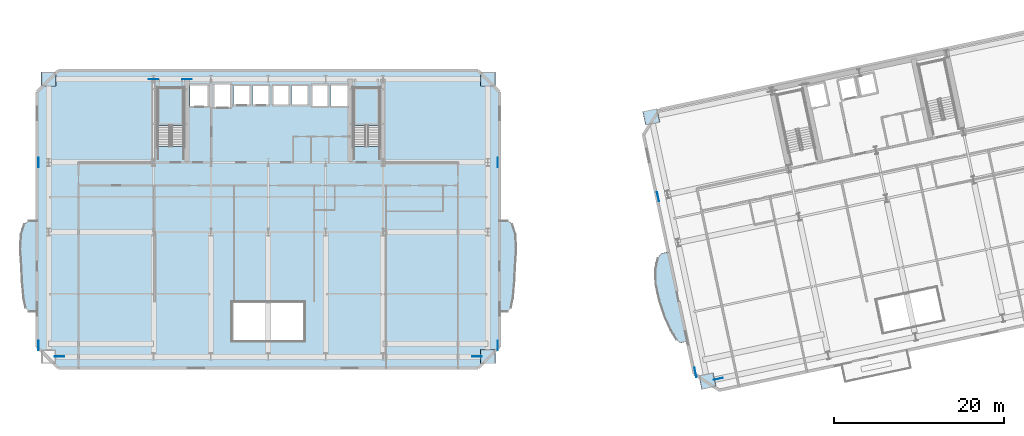
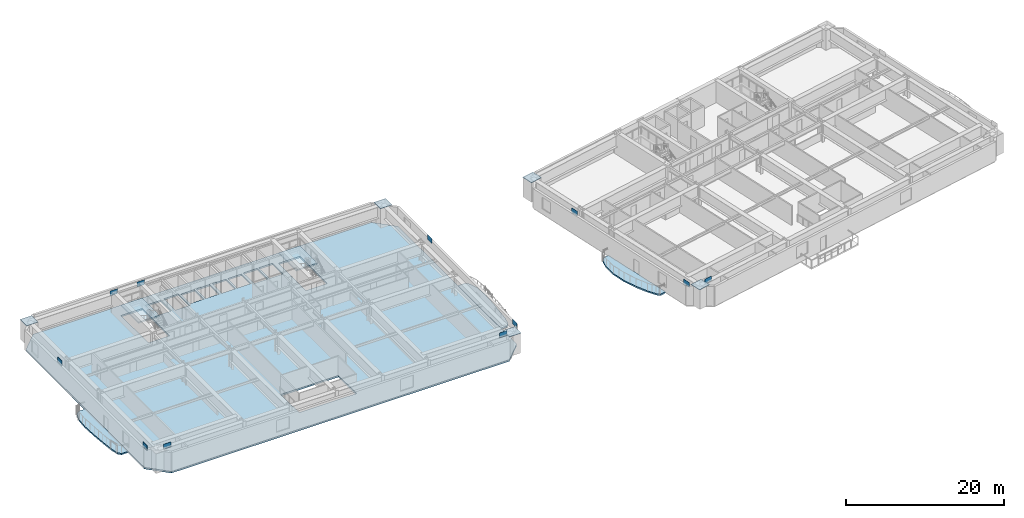
# One storey, part 5 of 18: 16 plates, 6 slabs, 2 elements without a shape of their own.
"""IFC4 building model written with IfcOpenShell, lengths in metres."""

from ifc_helpers import new_model, si_unit, direction, frame, origin, origin_2d, place, context, subcontext, project, spatial, polyline, rectangle, outline, extrude, material, layer, layer_set, type_object, element, aggregate, save


model = new_model("IFC4")

# Units and contexts
model_context = context("Model", 3, precision=1e-05, world=origin(), true_north=direction((0.0, 1.0)))
body_context = subcontext(model_context, "Body", "Model", "MODEL_VIEW")
ifc_project = project(units=[si_unit("LENGTHUNIT", "METRE"), si_unit("AREAUNIT", "SQUARE_METRE"), si_unit("VOLUMEUNIT", "CUBIC_METRE"), si_unit("PLANEANGLEUNIT", "RADIAN"), si_unit("MASSUNIT", "GRAM", prefix="KILO")], contexts=[model_context])

# Site, building, storey
site_placement = place(None, origin())
site = spatial("IfcSite", under=ifc_project, at=site_placement, CompositionType="ELEMENT")
building_placement = place(site_placement, origin())
building = spatial("IfcBuilding", under=site, at=building_placement, Name="Haevon Station Towers", CompositionType="ELEMENT")
storey_placement = place(building_placement, frame((0.0, 0.0, 47.10009765625)))
storey = spatial("IfcBuildingStorey", under=building, at=storey_placement, Name="L11", CompositionType="ELEMENT", Elevation=47.10009765625)

# Plates
ifc_material_1 = material(Name="PL-FLG1", Category="steel")
ifc_layer_1 = layer(ifc_material_1, 0.044921875)
ifc_layer_set_1 = layer_set([ifc_layer_1], Name="PL-FLG1")
plate_type_1 = type_object("IfcPlateType", Name="PL-FLG1", PredefinedType="USERDEFINED", material=ifc_layer_set_1)
for number, where, z_axis, x_axis, name in (
    (1, (11.64990234375, 48.0, 3.0498046875), (0.0, 0.0, 1.0), (1.0, 0.0, 0.0), "PL-CAP-T1-L11-01-04"),
    (2, (63.35009765625, 15.35009765625, 3.0498046875), (0.0, 0.0, 1.0), (1.0, 0.0, 0.0), "PL-CAP-T1-L11-07-01"),
    (3, (63.35009765625, 48.0, 3.0498046875), (0.0, 0.0, 1.0), (1.0, 0.0, 0.0), "PL-CAP-T1-L11-07-04"),
    (4, (89.18798828125, 12.457763671875, 3.0498046875), (0.0, 0.0, 1.0), (0.978147600734, 0.207911690818, 0.0), "PL-CAP-T2-L11-01-01"),
    (5, (82.576416015625, 43.56298828125, 3.0498046875), (0.0, 0.0, 1.0), (0.978147600734, 0.207911690818, 0.0), "PL-CAP-T2-L11-01-04"),
):
    element("IfcPlate", number, at=place(storey_placement, frame(where, z_axis=z_axis, x_axis=x_axis)), inside=storey, type_object=plate_type_1, Name=name, ObjectType="FLANGE_PLATE", PredefinedType="USERDEFINED", context=body_context, shape_type="SweptSolid", body=[
        extrude(rectangle(XDim=1.739990234375, YDim=1.639892578125, at=origin_2d()), origin(), (0.0, 0.0, 1.0), 0.0400390625),
    ])
ifc_material_2 = material(Name="PL-SPL1", Category="steel")
ifc_layer_2 = layer(ifc_material_2, 0.031982421875)
ifc_layer_set_2 = layer_set([ifc_layer_2], Name="PL-SPL1")
plate_type_2 = type_object("IfcPlateType", Name="PL-SPL1", PredefinedType="USERDEFINED", material=ifc_layer_set_2)
for number, where, z_axis, x_axis, name in (
    (6, (12.949951171875, 15.35009765625, 2.77490234375), (0.0, 0.0, 1.0), (1.0, 0.0, 0.0), "PL-T1SPL-T00-S-3"),
    (7, (62.050048828125, 15.35009765625, 2.77490234375), (0.0, 0.0, 1.0), (1.0, 0.0, 0.0), "PL-T1SPL-T00-S-4"),
    (8, (24.0, 48.0, 2.77490234375), (0.0, 0.0, 1.0), (1.0, 0.0, 0.0), "PL-T1SPL-T00-N-3"),
    (9, (27.949951171875, 48.0, 2.77490234375), (0.0, 0.0, 1.0), (1.0, 0.0, 0.0), "PL-T1SPL-T00-N-4"),
    (10, (10.47998046875, 16.64990234375, 2.77490234375), (0.0, 0.0, 1.0), (0.0, 1.0, 0.0), "PL-T1SPL-T00-W-3"),
    (11, (10.47998046875, 38.199951171875, 2.77490234375), (0.0, 0.0, 1.0), (0.0, 1.0, 0.0), "PL-T1SPL-T00-W-4"),
    (12, (64.52001953125, 16.64990234375, 2.77490234375), (0.0, 0.0, 1.0), (0.0, 1.0, 0.0), "PL-T1SPL-T00-E-3"),
    (13, (64.52001953125, 38.199951171875, 2.77490234375), (0.0, 0.0, 1.0), (0.0, 1.0, 0.0), "PL-T1SPL-T00-E-4"),
    (14, (90.45947265625, 12.728271484375, 2.77490234375), (0.0, 0.0, 1.0), (0.978147600734, 0.207911690818, 0.0), "PL-T2SPL-T00-S-3"),
    (15, (87.773193359375, 13.486328125, 2.77490234375), (0.0, 0.0, 1.0), (-0.207911690818, 0.978147600734, 0.0), "PL-T2SPL-T00-W-3"),
    (16, (83.3759765625, 34.174072265625, 2.77490234375), (0.0, 0.0, 1.0), (-0.207911690818, 0.978147600734, 0.0), "PL-T2SPL-T00-W-4"),
):
    element("IfcPlate", number, at=place(storey_placement, frame(where, z_axis=z_axis, x_axis=x_axis)), inside=storey, type_object=plate_type_2, Name=name, ObjectType="SPLICE_PLATE", PredefinedType="USERDEFINED", context=body_context, shape_type="SweptSolid", body=[
        extrude(rectangle(XDim=1.10009765625, YDim=0.031982421875, at=origin_2d()), origin(), (0.0, 0.0, 1.0), 0.75),
    ])

# Slabs
ifc_material_3 = material(Name="Concrete C40/50", Category="concrete")
ifc_layer_3 = layer(ifc_material_3, 0.219970703125)
ifc_layer_set_3 = layer_set([ifc_layer_3], Name="Concrete C40/50")
slab_type_1 = type_object("IfcSlabType", Name="SL-BALC220", PredefinedType="FLOOR", material=ifc_layer_set_3)
slab_1_placement = place(storey_placement, frame((0.0, 0.0, -0.22021484375)))
element("IfcSlab", 17, at=slab_1_placement, inside=storey, type_object=slab_type_1, Name="Tower 1 L11 West SCALLOPED BALCONY", PredefinedType="FLOOR", context=body_context, shape_type="SweptSolid", body=[
    extrude(outline(polyline([(10.294921875, 31.39990234375), (9.337646484375, 31.39990234375), (8.783935546875, 30.989013671875), (8.40283203125, 29.818359375), (8.28759765625, 28.06640625), (8.37451171875, 26.0), (8.5302734375, 23.93359375), (8.70068359375, 22.181640625), (8.94677734375, 21.010986328125), (9.337646484375, 20.60009765625), (10.294921875, 20.60009765625), (10.294921875, 31.39990234375)])), origin(), (0.0, 0.0, 1.0), 0.22021484375),
])
slab_2_placement = place(storey_placement, frame((0.0, 0.0, -0.22021484375)))
element("IfcSlab", 18, at=slab_2_placement, inside=storey, type_object=slab_type_1, Name="Tower 1 L11 East SCALLOPED BALCONY", PredefinedType="FLOOR", context=body_context, shape_type="SweptSolid", body=[
    extrude(outline(polyline([(64.705078125, 20.60009765625), (65.662353515625, 20.60009765625), (66.05322265625, 21.010986328125), (66.29931640625, 22.181640625), (66.4697265625, 23.93359375), (66.62548828125, 26.0), (66.71240234375, 28.06640625), (66.59716796875, 29.818359375), (66.216064453125, 30.989013671875), (65.662353515625, 31.39990234375), (64.705078125, 31.39990234375), (64.705078125, 20.60009765625)])), origin(), (0.0, 0.0, 1.0), 0.22021484375),
])
slab_3_placement = place(storey_placement, frame((0.0, 0.0, -0.22021484375)))
element("IfcSlab", 19, at=slab_3_placement, inside=storey, type_object=slab_type_1, Name="Tower 2 L11 West SCALLOPED BALCONY", PredefinedType="FLOOR", context=body_context, shape_type="SweptSolid", body=[
    extrude(outline(polyline([(84.567138671875, 27.6796875), (83.735595703125, 27.503173828125), (83.333984375, 26.99755859375), (83.045166015625, 25.7392578125), (83.0595703125, 23.951416015625), (83.460205078125, 21.923828125), (84.156005859375, 19.959228515625), (84.92431640625, 18.331298828125), (85.56787109375, 17.271484375), (85.981201171875, 16.93896484375), (86.8125, 17.11572265625), (84.567138671875, 27.6796875)])), origin(), (0.0, 0.0, 1.0), 0.22021484375),
])

# Stair, slab
stair_type = type_object("IfcStairType", Name="STR-DL1450", PredefinedType="USERDEFINED", material=ifc_material_3)
stair_1_placement = place(storey_placement, origin())
stair_1 = element("IfcStair", 20, at=stair_1_placement, inside=storey, type_object=stair_type, Name="L11 Escape Stair ST1", ObjectType="TWO_RETURN_STAIR", PredefinedType="USERDEFINED")
ifc_layer_4 = layer(ifc_material_3, 0.199951171875)
ifc_layer_set_4 = layer_set([ifc_layer_4], Name="Concrete C40/50")
slab_type_2 = type_object("IfcSlabType", Name="SL-LND200", PredefinedType="LANDING", material=ifc_layer_set_4)
slab_4_placement = place(storey_placement, frame((0.0, 0.0, 1.449951171875)))
slab_4 = element("IfcSlab", 21, at=slab_4_placement, type_object=slab_type_2, Name="L11 ST1 Half Landing 1", PredefinedType="LANDING", context=body_context, shape_type="SweptSolid", body=[
    extrude(outline(polyline([(27.580078125, 42.56396484375), (27.580078125, 47.0), (24.47998046875, 47.0), (24.47998046875, 42.56396484375), (27.580078125, 42.56396484375)])), origin(), (0.0, 0.0, 1.0), 0.199951171875),
])
aggregate(stair_1, [slab_4])

stair_2_placement = place(storey_placement, origin())
stair_2 = element("IfcStair", 22, at=stair_2_placement, inside=storey, type_object=stair_type, Name="L11 Escape Stair ST2", ObjectType="TWO_RETURN_STAIR", PredefinedType="USERDEFINED")
slab_5_placement = place(storey_placement, frame((0.0, 0.0, 1.449951171875)))
slab_5 = element("IfcSlab", 23, at=slab_5_placement, type_object=slab_type_2, Name="L11 ST2 Half Landing 1", PredefinedType="LANDING", context=body_context, shape_type="SweptSolid", body=[
    extrude(outline(polyline([(50.6201171875, 42.56396484375), (50.6201171875, 47.0), (47.52001953125, 47.0), (47.52001953125, 42.56396484375), (50.6201171875, 42.56396484375)])), origin(), (0.0, 0.0, 1.0), 0.199951171875),
])
aggregate(stair_2, [slab_5])

# Slab
ifc_layer_5 = layer(ifc_material_3, 0.25)
ifc_layer_set_5 = layer_set([ifc_layer_5], Name="Concrete C40/50")
slab_type_3 = type_object("IfcSlabType", Name="SL-TW250", PredefinedType="FLOOR", material=ifc_layer_set_5)
slab_6_placement = place(storey_placement, frame((0.0, 0.0, -0.25)))
element("IfcSlab", 24, at=slab_6_placement, inside=storey, type_object=slab_type_3, Name="SL-T1-L11", PredefinedType="FLOOR", context=body_context, shape_type="SweptSolid", body=[
    extrude(outline(polyline([(12.800048828125, 14.0), (62.199951171875, 14.0), (64.699951171875, 16.5), (64.699951171875, 46.5), (62.199951171875, 49.0), (12.800048828125, 49.0), (10.300048828125, 46.5), (10.300048828125, 16.5), (12.800048828125, 14.0)]), holes=[polyline([(27.580078125, 40.055908203125), (27.580078125, 47.0), (24.47998046875, 47.0), (24.47998046875, 40.055908203125), (27.580078125, 40.055908203125)]), polyline([(50.6201171875, 40.055908203125), (50.6201171875, 47.0), (47.52001953125, 47.0), (47.52001953125, 40.055908203125), (50.6201171875, 40.055908203125)]), polyline([(28.300048828125, 44.699951171875), (30.5, 44.699951171875), (30.5, 47.39990234375), (28.300048828125, 47.39990234375), (28.300048828125, 44.699951171875)]), polyline([(31.050048828125, 44.60009765625), (33.14990234375, 44.60009765625), (33.14990234375, 47.5), (31.050048828125, 47.5), (31.050048828125, 44.60009765625)]), polyline([(33.39990234375, 44.89990234375), (35.39990234375, 44.89990234375), (35.39990234375, 47.300048828125), (33.39990234375, 47.300048828125), (33.39990234375, 44.89990234375)]), polyline([(35.64990234375, 44.89990234375), (37.64990234375, 44.89990234375), (37.64990234375, 47.300048828125), (35.64990234375, 47.300048828125), (35.64990234375, 44.89990234375)]), polyline([(38.0, 44.89990234375), (40.0, 44.89990234375), (40.0, 47.300048828125), (38.0, 47.300048828125), (38.0, 44.89990234375)]), polyline([(40.25, 44.89990234375), (42.25, 44.89990234375), (42.25, 47.300048828125), (40.25, 47.300048828125), (40.25, 44.89990234375)]), polyline([(42.60009765625, 44.699951171875), (44.60009765625, 44.699951171875), (44.60009765625, 47.39990234375), (42.60009765625, 47.39990234375), (42.60009765625, 44.699951171875)]), polyline([(44.85009765625, 44.699951171875), (46.85009765625, 44.699951171875), (46.85009765625, 47.39990234375), (44.85009765625, 47.39990234375), (44.85009765625, 44.699951171875)]), polyline([(33.300048828125, 17.199951171875), (41.699951171875, 17.199951171875), (41.699951171875, 21.800048828125), (33.300048828125, 21.800048828125), (33.300048828125, 17.199951171875)])]), origin(), (0.0, 0.0, 1.0), 0.25),
])

save(model, "model.ifc")
